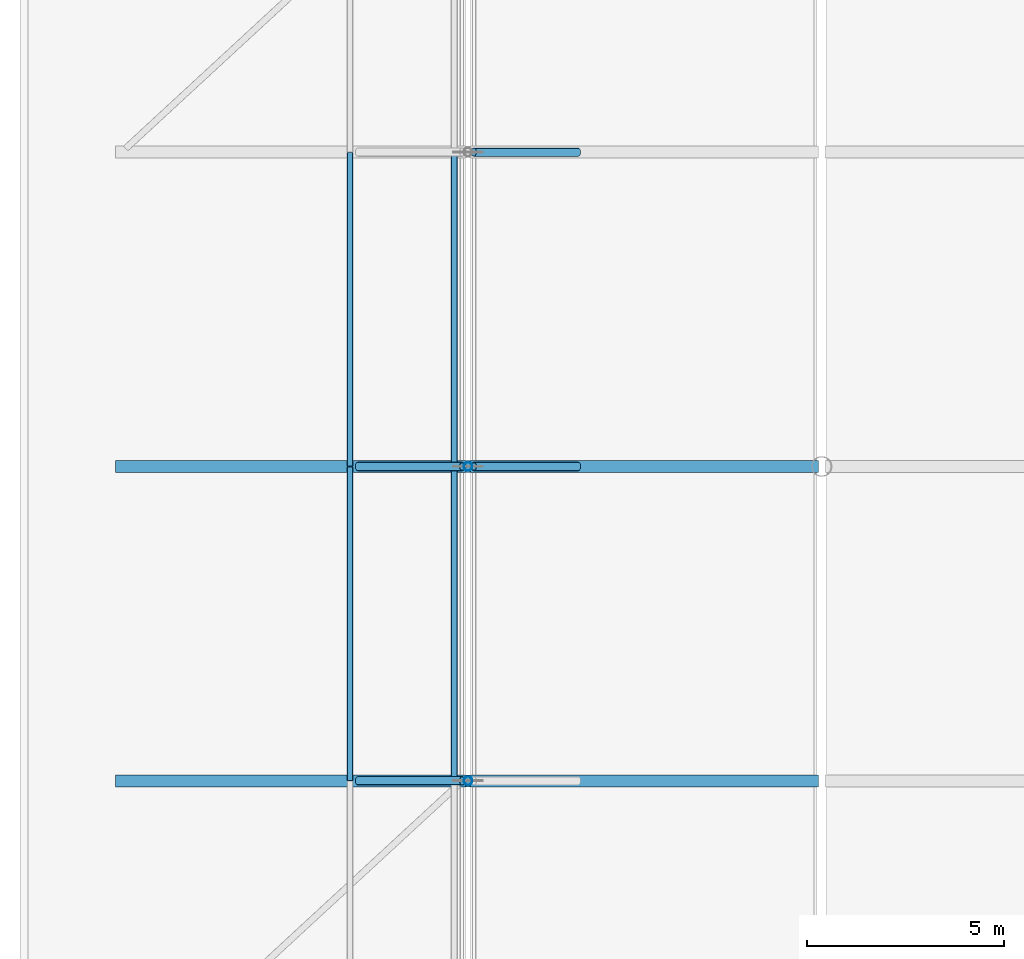
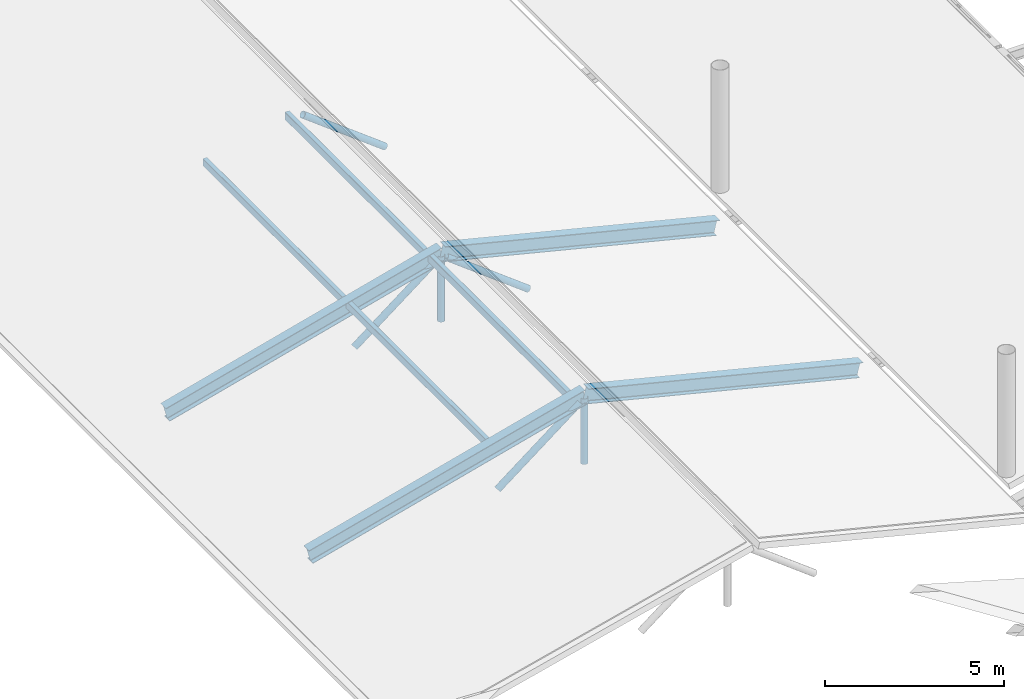
# One storey, part 18 of 128: 10 members, 4 beams.
"""IFC4 building model written with IfcOpenShell, lengths in metres."""

from ifc_helpers import new_model, si_unit, derived_unit, direction, frame, origin, origin_2d, place, context, subcontext, project, spatial, hollow_rectangle, hollow_circle, i_section, extrude, material, material_profile, profile_set, type_object, element, save


model = new_model("IFC4")

# Units and contexts
model_context = context("Model", 3, precision=1e-05, world=origin(), true_north=direction((0.0, 1.0)))
body_context = subcontext(model_context, "Body", "Model", "MODEL_VIEW")
ifc_project = project(units=[si_unit("LENGTHUNIT", "METRE"), si_unit("AREAUNIT", "SQUARE_METRE"), si_unit("VOLUMEUNIT", "CUBIC_METRE"), si_unit("PLANEANGLEUNIT", "RADIAN"), si_unit("MASSUNIT", "GRAM", prefix="KILO"), derived_unit("THERMALTRANSMITTANCEUNIT", [(si_unit("MASSUNIT", "GRAM", prefix="KILO"), 1), (si_unit("TIMEUNIT", "SECOND"), -3), (si_unit("THERMODYNAMICTEMPERATUREUNIT", "KELVIN"), -1)])], contexts=[model_context])

# Site, building, storey
site_placement = place(None, origin())
site = spatial("IfcSite", under=ifc_project, at=site_placement, CompositionType="ELEMENT")
building_placement = place(site_placement, origin())
building = spatial("IfcBuilding", under=site, at=building_placement, Name="Zhenchuan Archway Interchange", CompositionType="ELEMENT")
storey_placement = place(building_placement, frame((0.0, 0.0, 14.39990234375)))
storey = spatial("IfcBuildingStorey", under=building, at=storey_placement, Name="L03", CompositionType="ELEMENT", Elevation=14.39990234375)

# Beams
ifc_material_1 = material(Name="Steel Q390", Category="steel")
ifc_material_profile_1 = material_profile(ifc_material_1, i_section(OverallWidth=0.300048828125, OverallDepth=0.5, WebThickness=0.010986328125, FlangeThickness=0.01806640625, FilletRadius=0.02197265625, at=origin_2d()), Name="HM 500x300")
ifc_profile_set_1 = profile_set([ifc_material_profile_1], Name="Steel Q390")
beam_type = type_object("IfcBeamType", Name="BM_STL_HM500", PredefinedType="BEAM", material=ifc_profile_set_1)
beam_1_placement = place(storey_placement, frame((0.10009765625, 32.0, -1.3798828125), z_axis=(0.966597493946, 0.0, 0.256299209318), x_axis=(0.0, 1.0, 0.0)))
element("IfcBeam", 1, at=beam_1_placement, inside=storey, type_object=beam_type, Name="ROOF TRUSS bus canopy T2 top chord 1", PredefinedType="BEAM", context=body_context, shape_type="SweptSolid", body=[
    extrude(i_section(OverallWidth=0.300048828125, OverallDepth=0.5, WebThickness=0.010986328125, FlangeThickness=0.01806640625, FilletRadius=0.02197265625, at=origin_2d()), origin(), (0.0, 0.0, 1.0), 9.20751953125),
])
beam_2_placement = place(storey_placement, frame((9.0, 32.0, 0.97998046875), z_axis=(0.970529815041, 0.0, -0.240981074187), x_axis=(0.0, 1.0, 0.0)))
element("IfcBeam", 2, at=beam_2_placement, inside=storey, type_object=beam_type, Name="ROOF TRUSS bus canopy T2 top chord 2", PredefinedType="BEAM", context=body_context, shape_type="SweptSolid", body=[
    extrude(i_section(OverallWidth=0.300048828125, OverallDepth=0.5, WebThickness=0.010986328125, FlangeThickness=0.01806640625, FilletRadius=0.02197265625, at=origin_2d()), origin(), (0.0, 0.0, 1.0), 9.129150390625),
])
beam_3_placement = place(storey_placement, frame((0.10009765625, 40.0, -1.3798828125), z_axis=(0.966597493946, 0.0, 0.256299209318), x_axis=(0.0, 1.0, 0.0)))
element("IfcBeam", 3, at=beam_3_placement, inside=storey, type_object=beam_type, Name="ROOF TRUSS bus canopy T3 top chord 1", PredefinedType="BEAM", context=body_context, shape_type="SweptSolid", body=[
    extrude(i_section(OverallWidth=0.300048828125, OverallDepth=0.5, WebThickness=0.010986328125, FlangeThickness=0.01806640625, FilletRadius=0.02197265625, at=origin_2d()), origin(), (0.0, 0.0, 1.0), 9.20751953125),
])
beam_4_placement = place(storey_placement, frame((9.0, 40.0, 0.97998046875), z_axis=(0.970529815041, 0.0, -0.240981074187), x_axis=(0.0, 1.0, 0.0)))
element("IfcBeam", 4, at=beam_4_placement, inside=storey, type_object=beam_type, Name="ROOF TRUSS bus canopy T3 top chord 2", PredefinedType="BEAM", context=body_context, shape_type="SweptSolid", body=[
    extrude(i_section(OverallWidth=0.300048828125, OverallDepth=0.5, WebThickness=0.010986328125, FlangeThickness=0.01806640625, FilletRadius=0.02197265625, at=origin_2d()), origin(), (0.0, 0.0, 1.0), 9.129150390625),
])

# Members
ifc_material_2 = material(Name="Steel Q355", Category="steel")
ifc_material_profile_2 = material_profile(ifc_material_2, hollow_circle(Radius=0.109619140625, WallThickness=0.008056640625, at=origin_2d()), Name="CHS 219x8")
ifc_profile_set_2 = profile_set([ifc_material_profile_2], Name="Steel Q355")
member_type_1 = type_object("IfcMemberType", Name="MB_CHS219", PredefinedType="BRACE", material=ifc_profile_set_2)
member_1_placement = place(storey_placement, frame((9.0, 32.0, -1.349853515625), z_axis=(0.0, 0.0, 1.0), x_axis=(1.0, 0.0, 0.0)))
element("IfcMember", 5, at=member_1_placement, inside=storey, type_object=member_type_1, Name="ROOF TRUSS bus canopy T2 web V1", PredefinedType="BRACE", context=body_context, shape_type="SweptSolid", body=[
    extrude(hollow_circle(Radius=0.109619140625, WallThickness=0.008056640625, at=origin_2d()), origin(), (0.0, 0.0, 1.0), 2.22998046875),
])
member_2_placement = place(storey_placement, frame((6.199951171875, 32.0, -1.290771484375), z_axis=(0.790860205512, 0.0, 0.611996842588), x_axis=(0.0, 1.0, 0.0)))
element("IfcMember", 6, at=member_2_placement, inside=storey, type_object=member_type_1, Name="ROOF TRUSS bus canopy T2 web D1", PredefinedType="BRACE", context=body_context, shape_type="SweptSolid", body=[
    extrude(hollow_circle(Radius=0.109619140625, WallThickness=0.008056640625, at=origin_2d()), origin(), (0.0, 0.0, 1.0), 3.35107421875),
])
member_3_placement = place(storey_placement, frame((9.0, 40.0, -1.349853515625), z_axis=(0.0, 0.0, 1.0), x_axis=(1.0, 0.0, 0.0)))
element("IfcMember", 7, at=member_3_placement, inside=storey, type_object=member_type_1, Name="ROOF TRUSS bus canopy T3 web V1", PredefinedType="BRACE", context=body_context, shape_type="SweptSolid", body=[
    extrude(hollow_circle(Radius=0.109619140625, WallThickness=0.008056640625, at=origin_2d()), origin(), (0.0, 0.0, 1.0), 2.22998046875),
])
member_4_placement = place(storey_placement, frame((6.199951171875, 40.0, -1.290771484375), z_axis=(0.790860205512, 0.0, 0.611996842588), x_axis=(0.0, 1.0, 0.0)))
element("IfcMember", 8, at=member_4_placement, inside=storey, type_object=member_type_1, Name="ROOF TRUSS bus canopy T3 web D1", PredefinedType="BRACE", context=body_context, shape_type="SweptSolid", body=[
    extrude(hollow_circle(Radius=0.109619140625, WallThickness=0.008056640625, at=origin_2d()), origin(), (0.0, 0.0, 1.0), 3.35107421875),
])
for number, where, z_axis, x_axis, name in (
    (9, (11.800048828125, 40.0, -1.254638671875), (-0.796084461129, 0.0, 0.605185534154), (0.0, -1.0, 0.0), "ROOF TRUSS bus canopy T3 web D2"),
    (10, (11.800048828125, 48.0, -1.254638671875), (-0.796084461129, 0.0, 0.605185534154), (0.0, -1.0, 0.0), "ROOF TRUSS bus canopy T4 web D2"),
):
    element("IfcMember", number, at=place(storey_placement, frame(where, z_axis=z_axis, x_axis=x_axis)), inside=storey, type_object=member_type_1, Name=name, PredefinedType="BRACE", context=body_context, shape_type="SweptSolid", body=[
        extrude(hollow_circle(Radius=0.109619140625, WallThickness=0.008056640625, at=origin_2d()), origin(), (0.0, 0.0, 1.0), 3.328857421875),
    ])
ifc_material_profile_3 = material_profile(ifc_material_2, hollow_rectangle(XDim=0.14990234375, YDim=0.25, WallThickness=0.008056640625, InnerFilletRadius=0.008056640625, OuterFilletRadius=0.01611328125, at=origin_2d()), Name="RHS 250x150x8")
ifc_profile_set_3 = profile_set([ifc_material_profile_3], Name="Steel Q355")
member_type_2 = type_object("IfcMemberType", Name="MB_RHS250", PredefinedType="PURLIN", material=ifc_profile_set_3)
for number, where, z_axis, x_axis, name in (
    (11, (6.0, 32.008056640625, 0.260009765625), (0.0, 1.0, 0.0), (-1.0, 0.0, 0.0), "Bus canopy roof purlin B2-P2"),
    (12, (6.0, 40.008056640625, 0.260009765625), (0.0, 1.0, 0.0), (-1.0, 0.0, 0.0), "Bus canopy roof purlin B3-P2"),
):
    element("IfcMember", number, at=place(storey_placement, frame(where, z_axis=z_axis, x_axis=x_axis)), inside=storey, type_object=member_type_2, Name=name, PredefinedType="PURLIN", context=body_context, shape_type="SweptSolid", body=[
        extrude(hollow_rectangle(XDim=0.14990234375, YDim=0.25, WallThickness=0.008056640625, InnerFilletRadius=0.008056640625, OuterFilletRadius=0.01611328125, at=origin_2d()), origin(), (0.0, 0.0, 1.0), 7.98388671875),
    ])
ifc_material_profile_4 = material_profile(ifc_material_2, hollow_rectangle(XDim=0.159912109375, YDim=0.260009765625, WallThickness=0.010009765625, InnerFilletRadius=0.010009765625, OuterFilletRadius=0.02001953125, at=origin_2d()), Name="RHS 260x160x10")
ifc_profile_set_4 = profile_set([ifc_material_profile_4], Name="Steel Q355")
member_type_3 = type_object("IfcMemberType", Name="MB_RHS260", PredefinedType="PURLIN", material=ifc_profile_set_4)
for number, where, z_axis, x_axis, name in (
    (13, (8.64990234375, 32.008056640625, 0.920166015625), (0.0, 1.0, 0.0), (-1.0, 0.0, 0.0), "Bus canopy roof purlin B2-P3"),
    (14, (8.64990234375, 40.008056640625, 0.920166015625), (0.0, 1.0, 0.0), (-1.0, 0.0, 0.0), "Bus canopy roof purlin B3-P3"),
):
    element("IfcMember", number, at=place(storey_placement, frame(where, z_axis=z_axis, x_axis=x_axis)), inside=storey, type_object=member_type_3, Name=name, PredefinedType="PURLIN", context=body_context, shape_type="SweptSolid", body=[
        extrude(hollow_rectangle(XDim=0.159912109375, YDim=0.260009765625, WallThickness=0.010009765625, InnerFilletRadius=0.010009765625, OuterFilletRadius=0.02001953125, at=origin_2d()), origin(), (0.0, 0.0, 1.0), 7.98388671875),
    ])

save(model, "model.ifc")
